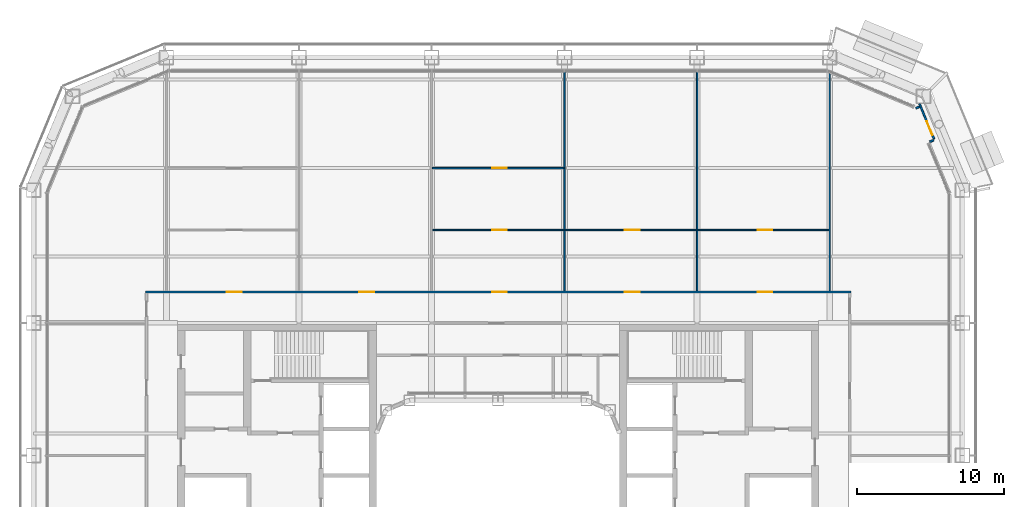
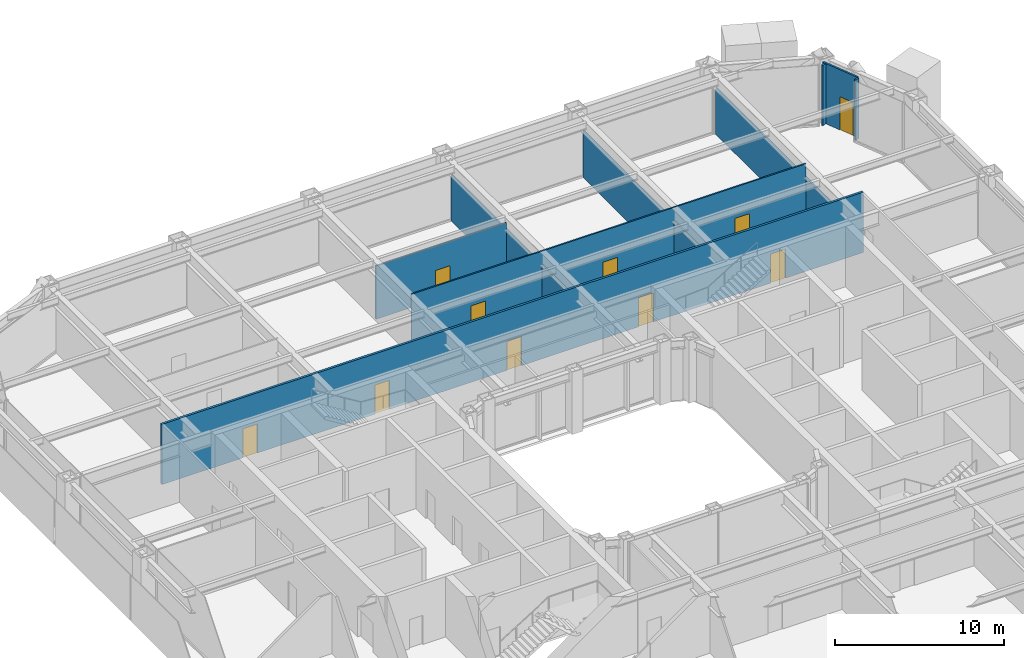
# One storey, part 16 of 30: 11 walls, 10 doors, 10 openings.
"""IFC4 building model written with IfcOpenShell, lengths in metres."""

from ifc_helpers import new_model, si_unit, direction, frame, frame_2d, origin, place, context, subcontext, project, spatial, rectangle, extrude, material, layer, layer_set, type_object, element, fill, save


model = new_model("IFC4")

# Units and contexts
model_context = context("Model", 3, precision=1e-05, world=origin(), true_north=direction((0.0, 1.0)))
body_context = subcontext(model_context, "Body", "Model", "MODEL_VIEW")
ifc_project = project(units=[si_unit("LENGTHUNIT", "METRE"), si_unit("AREAUNIT", "SQUARE_METRE"), si_unit("VOLUMEUNIT", "CUBIC_METRE"), si_unit("PLANEANGLEUNIT", "RADIAN"), si_unit("MASSUNIT", "GRAM", prefix="KILO")], contexts=[model_context])

# Site, building, storey
site_placement = place(None, origin())
site = spatial("IfcSite", under=ifc_project, at=site_placement, CompositionType="ELEMENT")
building_placement = place(site_placement, origin())
building = spatial("IfcBuilding", under=site, at=building_placement, Name="Siwar Civic Tower", CompositionType="ELEMENT")
storey_placement = place(building_placement, frame((0.0, 0.0, 62.699951171875)))
storey = spatial("IfcBuildingStorey", under=building, at=storey_placement, Name="L13", CompositionType="ELEMENT", Elevation=62.699951171875)

# Wall, openings, doors
ifc_material_1 = material(Name="Gypsum board on steel studs", Category="steel")
ifc_layer_1 = layer(ifc_material_1, 0.14990234375)
ifc_layer_set_1 = layer_set([ifc_layer_1], Name="Gypsum board on steel studs")
wall_type_1 = type_object("IfcWallType", Name="CORRIDOR PARTITION 150 EI 30", PredefinedType="PARTITIONING", material=ifc_layer_set_1)
wall_1_placement = place(storey_placement, frame((-23.925048828125, 15.60009765625, 0.0), z_axis=(0.0, 0.0, 1.0), x_axis=(1.0, 0.0, 0.0)))
wall_1 = element("IfcWall", 1, at=wall_1_placement, inside=storey, type_object=wall_type_1, Name="L13/wall/P19", PredefinedType="PARTITIONING", context=body_context, shape_type="SweptSolid", body=[
    extrude(rectangle(XDim=47.85009765625, YDim=0.14990234375, at=frame_2d((23.925048828125, 0.0))), origin(), (0.0, 0.0, 1.0), 4.35009765625),
])
opening_1_placement = place(wall_1_placement, frame((5.52490234375, 0.0, 0.0)))
opening_1 = element("IfcOpeningElement", 2, at=opening_1_placement, cuts=wall_1, Name="Opening D1", PredefinedType="OPENING", context=body_context, shape_type="SweptSolid", body=[
    extrude(rectangle(XDim=1.0, YDim=2.10009765625, at=frame_2d((0.5, 1.050048828125))), frame((0.0, 0.0849609375, 0.0), z_axis=(0.0, -1.0, 0.0), x_axis=(1.0, 0.0, 0.0)), (0.0, 0.0, 1.0), 0.169921875),
])
opening_2_placement = place(wall_1_placement, frame((14.52490234375, 0.0, 0.0)))
opening_2 = element("IfcOpeningElement", 3, at=opening_2_placement, cuts=wall_1, Name="Opening D1", PredefinedType="OPENING", context=body_context, shape_type="SweptSolid", body=[
    extrude(rectangle(XDim=1.0, YDim=2.10009765625, at=frame_2d((0.5, 1.050048828125))), frame((0.0, 0.0849609375, 0.0), z_axis=(0.0, -1.0, 0.0), x_axis=(1.0, 0.0, 0.0)), (0.0, 0.0, 1.0), 0.169921875),
])
opening_3_placement = place(wall_1_placement, frame((23.52490234375, 0.0, 0.0)))
opening_3 = element("IfcOpeningElement", 4, at=opening_3_placement, cuts=wall_1, Name="Opening D1", PredefinedType="OPENING", context=body_context, shape_type="SweptSolid", body=[
    extrude(rectangle(XDim=1.0, YDim=2.10009765625, at=frame_2d((0.5, 1.050048828125))), frame((0.0, 0.0849609375, 0.0), z_axis=(0.0, -1.0, 0.0), x_axis=(1.0, 0.0, 0.0)), (0.0, 0.0, 1.0), 0.169921875),
])
opening_4_placement = place(wall_1_placement, frame((32.52490234375, 0.0, 0.0)))
opening_4 = element("IfcOpeningElement", 5, at=opening_4_placement, cuts=wall_1, Name="Opening D1", PredefinedType="OPENING", context=body_context, shape_type="SweptSolid", body=[
    extrude(rectangle(XDim=1.0, YDim=2.10009765625, at=frame_2d((0.5, 1.050048828125))), frame((0.0, 0.0849609375, 0.0), z_axis=(0.0, -1.0, 0.0), x_axis=(1.0, 0.0, 0.0)), (0.0, 0.0, 1.0), 0.169921875),
])
opening_5_placement = place(wall_1_placement, frame((41.52490234375, 0.0, 0.0)))
opening_5 = element("IfcOpeningElement", 6, at=opening_5_placement, cuts=wall_1, Name="Opening D1", PredefinedType="OPENING", context=body_context, shape_type="SweptSolid", body=[
    extrude(rectangle(XDim=1.0, YDim=2.10009765625, at=frame_2d((0.5, 1.050048828125))), frame((0.0, 0.0849609375, 0.0), z_axis=(0.0, -1.0, 0.0), x_axis=(1.0, 0.0, 0.0)), (0.0, 0.0, 1.0), 0.169921875),
])
ifc_material_2 = material(Name="Timber, painted", Category="wood")
door_type_1 = type_object("IfcDoorType", Name="DOOR 1000 X 2100 FD30", OperationType="SINGLE_SWING_LEFT", PredefinedType="DOOR", material=ifc_material_2)
door_1_placement = place(opening_1_placement, origin())
door_1 = element("IfcDoor", 7, at=door_1_placement, inside=storey, type_object=door_type_1, Name="L13-D01", OperationType="SINGLE_SWING_LEFT", OverallHeight=2.10009765625, OverallWidth=1.0, PredefinedType="DOOR", context=body_context, shape_type="SweptSolid", body=[
    extrude(rectangle(XDim=1.0, YDim=2.10009765625, at=frame_2d((0.5, 1.050048828125))), frame((0.0, 0.02490234375, 0.0), z_axis=(0.0, -1.0, 0.0), x_axis=(1.0, 0.0, 0.0)), (0.0, 0.0, 1.0), 0.050048828125),
])
fill(opening_1, door_1)
door_2_placement = place(opening_2_placement, origin())
door_2 = element("IfcDoor", 8, at=door_2_placement, inside=storey, type_object=door_type_1, Name="L13-D04", OperationType="SINGLE_SWING_RIGHT", OverallHeight=2.10009765625, OverallWidth=1.0, PredefinedType="DOOR", context=body_context, shape_type="SweptSolid", body=[
    extrude(rectangle(XDim=1.0, YDim=2.10009765625, at=frame_2d((0.5, 1.050048828125))), frame((0.0, 0.02490234375, 0.0), z_axis=(0.0, -1.0, 0.0), x_axis=(1.0, 0.0, 0.0)), (0.0, 0.0, 1.0), 0.050048828125),
])
fill(opening_2, door_2)
door_3_placement = place(opening_3_placement, origin())
door_3 = element("IfcDoor", 9, at=door_3_placement, inside=storey, type_object=door_type_1, Name="L13-D05", OperationType="SINGLE_SWING_LEFT", OverallHeight=2.10009765625, OverallWidth=1.0, PredefinedType="DOOR", context=body_context, shape_type="SweptSolid", body=[
    extrude(rectangle(XDim=1.0, YDim=2.10009765625, at=frame_2d((0.5, 1.050048828125))), frame((0.0, 0.02490234375, 0.0), z_axis=(0.0, -1.0, 0.0), x_axis=(1.0, 0.0, 0.0)), (0.0, 0.0, 1.0), 0.050048828125),
])
fill(opening_3, door_3)
door_4_placement = place(opening_4_placement, origin())
door_4 = element("IfcDoor", 10, at=door_4_placement, inside=storey, type_object=door_type_1, Name="L13-D08", OperationType="SINGLE_SWING_RIGHT", OverallHeight=2.10009765625, OverallWidth=1.0, PredefinedType="DOOR", context=body_context, shape_type="SweptSolid", body=[
    extrude(rectangle(XDim=1.0, YDim=2.10009765625, at=frame_2d((0.5, 1.050048828125))), frame((0.0, 0.02490234375, 0.0), z_axis=(0.0, -1.0, 0.0), x_axis=(1.0, 0.0, 0.0)), (0.0, 0.0, 1.0), 0.050048828125),
])
fill(opening_4, door_4)
door_5_placement = place(opening_5_placement, origin())
door_5 = element("IfcDoor", 11, at=door_5_placement, inside=storey, type_object=door_type_1, Name="L13-D10", OperationType="SINGLE_SWING_RIGHT", OverallHeight=2.10009765625, OverallWidth=1.0, PredefinedType="DOOR", context=body_context, shape_type="SweptSolid", body=[
    extrude(rectangle(XDim=1.0, YDim=2.10009765625, at=frame_2d((0.5, 1.050048828125))), frame((0.0, 0.02490234375, 0.0), z_axis=(0.0, -1.0, 0.0), x_axis=(1.0, 0.0, 0.0)), (0.0, 0.0, 1.0), 0.050048828125),
])
fill(opening_5, door_5)

# Walls
ifc_material_3 = material(Name="Aluminium clad insulated panel", Category="aluminium")
ifc_layer_2 = layer(ifc_material_3, 0.1201171875)
ifc_layer_set_2 = layer_set([ifc_layer_2], Name="Aluminium clad insulated panel")
wall_type_2 = type_object("IfcWallType", Name="ENV-WALL-BAL", PredefinedType="STANDARD", material=ifc_layer_set_2)
wall_2_placement = place(storey_placement, frame((29.284912109375, 25.783447265625, 0.0), z_axis=(0.0, 0.0, 1.0), x_axis=(0.923772220778, 0.382942403136, 0.0)))
element("IfcWall", 12, at=wall_2_placement, inside=storey, type_object=wall_type_2, Name="Balcony door wall return NE1", PredefinedType="STANDARD", context=body_context, shape_type="SweptSolid", body=[
    extrude(rectangle(XDim=0.27978515625, YDim=0.1201171875, at=frame_2d((0.139892578125, 0.0))), origin(), (0.0, 0.0, 1.0), 4.35009765625),
])
wall_3_placement = place(storey_placement, frame((28.3427734375, 28.057861328125, 0.0), z_axis=(0.0, 0.0, 1.0), x_axis=(0.923899985553, 0.382634050621, 0.0)))
element("IfcWall", 13, at=wall_3_placement, inside=storey, type_object=wall_type_2, Name="Balcony door wall return NE1", PredefinedType="STANDARD", context=body_context, shape_type="SweptSolid", body=[
    extrude(rectangle(XDim=0.280029296875, YDim=0.1201171875, at=frame_2d((0.14013671875, 0.0))), origin(), (0.0, 0.0, 1.0), 4.35009765625),
])

# Wall, opening, door
wall_4_placement = place(storey_placement, frame((29.575927734375, 25.968994140625, 0.0), z_axis=(0.0, 0.0, 1.0), x_axis=(-0.382648460137, 0.923894017707, 0.0)))
wall_4 = element("IfcWall", 14, at=wall_4_placement, inside=storey, type_object=wall_type_2, Name="Balcony door wall NE1", PredefinedType="STANDARD", context=body_context, shape_type="SweptSolid", body=[
    extrude(rectangle(XDim=2.59228515625, YDim=0.1201171875, at=frame_2d((1.296142578125, 0.0))), origin(), (0.0, 0.0, 1.0), 4.35009765625),
])
opening_6_placement = place(wall_4_placement, frame((0.300048828125, 0.0, 0.0)))
opening_6 = element("IfcOpeningElement", 15, at=opening_6_placement, cuts=wall_4, Name="Opening D-BAL", PredefinedType="OPENING", context=body_context, shape_type="SweptSolid", body=[
    extrude(rectangle(XDim=1.0, YDim=2.39990234375, at=frame_2d((0.5, 1.199951171875))), frame((0.0, 0.070068359375, 0.0), z_axis=(0.0, -1.0, 0.0), x_axis=(1.0, 0.0, 0.0)), (0.0, 0.0, 1.0), 0.14013671875),
])
ifc_material_4 = material(Name="Aluminium and glass", Category="aluminium")
door_type_2 = type_object("IfcDoorType", Name="ENV-DOOR-BAL", OperationType="SINGLE_SWING_LEFT", PredefinedType="DOOR", material=ifc_material_4)
door_6_placement = place(opening_6_placement, origin())
door_6 = element("IfcDoor", 16, at=door_6_placement, inside=storey, type_object=door_type_2, Name="Balcony door NE", OperationType="SINGLE_SWING_LEFT", OverallHeight=2.39990234375, OverallWidth=1.0, PredefinedType="DOOR", context=body_context, shape_type="SweptSolid", body=[
    extrude(rectangle(XDim=1.0, YDim=2.39990234375, at=frame_2d((0.5, 1.199951171875))), frame((0.0, 0.02490234375, 0.0), z_axis=(0.0, -1.0, 0.0), x_axis=(1.0, 0.0, 0.0)), (0.0, 0.0, 1.0), 0.050048828125),
])
fill(opening_6, door_6)

# Wall, openings, doors
ifc_material_5 = material(Name="Gypsum board on steel studs", Category="steel")
ifc_layer_3 = layer(ifc_material_5, 0.10009765625)
ifc_layer_set_3 = layer_set([ifc_layer_3], Name="Gypsum board on steel studs")
wall_type_3 = type_object("IfcWallType", Name="PARTITION 100 GYPSUM", PredefinedType="PARTITIONING", material=ifc_layer_set_3)
wall_5_placement = place(storey_placement, frame((-4.449951171875, 19.800048828125, 0.0), z_axis=(0.0, 0.0, 1.0), x_axis=(1.0, 0.0, 0.0)))
wall_5 = element("IfcWall", 17, at=wall_5_placement, inside=storey, type_object=wall_type_3, Name="L13/wall/P21", PredefinedType="PARTITIONING", context=body_context, shape_type="SweptSolid", body=[
    extrude(rectangle(XDim=26.89990234375, YDim=0.10009765625, at=frame_2d((13.449951171875, 0.0))), origin(), (0.0, 0.0, 1.0), 4.35009765625),
])
opening_7_placement = place(wall_5_placement, frame((4.050048828125, 0.0, 0.0)))
opening_7 = element("IfcOpeningElement", 18, at=opening_7_placement, cuts=wall_5, Name="Opening D2", PredefinedType="OPENING", context=body_context, shape_type="SweptSolid", body=[
    extrude(rectangle(XDim=1.0, YDim=2.10009765625, at=frame_2d((0.5, 1.050048828125))), frame((0.0, 0.06005859375, 0.0), z_axis=(0.0, -1.0, 0.0), x_axis=(1.0, 0.0, 0.0)), (0.0, 0.0, 1.0), 0.1201171875),
])
opening_8_placement = place(wall_5_placement, frame((13.050048828125, 0.0, 0.0)))
opening_8 = element("IfcOpeningElement", 19, at=opening_8_placement, cuts=wall_5, Name="Opening D2", PredefinedType="OPENING", context=body_context, shape_type="SweptSolid", body=[
    extrude(rectangle(XDim=1.0, YDim=2.10009765625, at=frame_2d((0.5, 1.050048828125))), frame((0.0, 0.06005859375, 0.0), z_axis=(0.0, -1.0, 0.0), x_axis=(1.0, 0.0, 0.0)), (0.0, 0.0, 1.0), 0.1201171875),
])
opening_9_placement = place(wall_5_placement, frame((22.050048828125, 0.0, 0.0)))
opening_9 = element("IfcOpeningElement", 20, at=opening_9_placement, cuts=wall_5, Name="Opening D2", PredefinedType="OPENING", context=body_context, shape_type="SweptSolid", body=[
    extrude(rectangle(XDim=1.0, YDim=2.10009765625, at=frame_2d((0.5, 1.050048828125))), frame((0.0, 0.06005859375, 0.0), z_axis=(0.0, -1.0, 0.0), x_axis=(1.0, 0.0, 0.0)), (0.0, 0.0, 1.0), 0.1201171875),
])
ifc_material_6 = material(Name="Timber, painted", Category="wood")
door_type_3 = type_object("IfcDoorType", Name="DOOR 1000 X 2100", OperationType="SINGLE_SWING_LEFT", PredefinedType="DOOR", material=ifc_material_6)
door_7_placement = place(opening_7_placement, origin())
door_7 = element("IfcDoor", 21, at=door_7_placement, inside=storey, type_object=door_type_3, Name="L13-D06", OperationType="SINGLE_SWING_RIGHT", OverallHeight=2.10009765625, OverallWidth=1.0, PredefinedType="DOOR", context=body_context, shape_type="SweptSolid", body=[
    extrude(rectangle(XDim=1.0, YDim=2.10009765625, at=frame_2d((0.5, 1.050048828125))), frame((0.0, 0.02490234375, 0.0), z_axis=(0.0, -1.0, 0.0), x_axis=(1.0, 0.0, 0.0)), (0.0, 0.0, 1.0), 0.050048828125),
])
fill(opening_7, door_7)
door_8_placement = place(opening_8_placement, origin())
door_8 = element("IfcDoor", 22, at=door_8_placement, inside=storey, type_object=door_type_3, Name="L13-D09", OperationType="SINGLE_SWING_LEFT", OverallHeight=2.10009765625, OverallWidth=1.0, PredefinedType="DOOR", context=body_context, shape_type="SweptSolid", body=[
    extrude(rectangle(XDim=1.0, YDim=2.10009765625, at=frame_2d((0.5, 1.050048828125))), frame((0.0, 0.02490234375, 0.0), z_axis=(0.0, -1.0, 0.0), x_axis=(1.0, 0.0, 0.0)), (0.0, 0.0, 1.0), 0.050048828125),
])
fill(opening_8, door_8)
door_9_placement = place(opening_9_placement, origin())
door_9 = element("IfcDoor", 23, at=door_9_placement, inside=storey, type_object=door_type_3, Name="L13-D11", OperationType="SINGLE_SWING_LEFT", OverallHeight=2.10009765625, OverallWidth=1.0, PredefinedType="DOOR", context=body_context, shape_type="SweptSolid", body=[
    extrude(rectangle(XDim=1.0, YDim=2.10009765625, at=frame_2d((0.5, 1.050048828125))), frame((0.0, 0.02490234375, 0.0), z_axis=(0.0, -1.0, 0.0), x_axis=(1.0, 0.0, 0.0)), (0.0, 0.0, 1.0), 0.050048828125),
])
fill(opening_9, door_9)

# Wall, opening, door
wall_6_placement = place(storey_placement, frame((-4.449951171875, 24.0, 0.0), z_axis=(0.0, 0.0, 1.0), x_axis=(1.0, 0.0, 0.0)))
wall_6 = element("IfcWall", 24, at=wall_6_placement, inside=storey, type_object=wall_type_3, Name="L13/wall/P23", PredefinedType="PARTITIONING", context=body_context, shape_type="SweptSolid", body=[
    extrude(rectangle(XDim=8.89990234375, YDim=0.10009765625, at=frame_2d((4.449951171875, 0.0))), origin(), (0.0, 0.0, 1.0), 3.85009765625),
])
opening_10_placement = place(wall_6_placement, frame((4.050048828125, 0.0, 0.0)))
opening_10 = element("IfcOpeningElement", 25, at=opening_10_placement, cuts=wall_6, Name="Opening D2", PredefinedType="OPENING", context=body_context, shape_type="SweptSolid", body=[
    extrude(rectangle(XDim=1.0, YDim=2.10009765625, at=frame_2d((0.5, 1.050048828125))), frame((0.0, 0.06005859375, 0.0), z_axis=(0.0, -1.0, 0.0), x_axis=(1.0, 0.0, 0.0)), (0.0, 0.0, 1.0), 0.1201171875),
])
door_10_placement = place(opening_10_placement, origin())
door_10 = element("IfcDoor", 26, at=door_10_placement, inside=storey, type_object=door_type_3, Name="L13-D07", OperationType="SINGLE_SWING_LEFT", OverallHeight=2.10009765625, OverallWidth=1.0, PredefinedType="DOOR", context=body_context, shape_type="SweptSolid", body=[
    extrude(rectangle(XDim=1.0, YDim=2.10009765625, at=frame_2d((0.5, 1.050048828125))), frame((0.0, 0.02490234375, 0.0), z_axis=(0.0, -1.0, 0.0), x_axis=(1.0, 0.0, 0.0)), (0.0, 0.0, 1.0), 0.050048828125),
])
fill(opening_10, door_10)

# Walls
wall_7_placement = place(storey_placement, frame((4.5, 15.675048828125, 0.0), z_axis=(0.0, 0.0, 1.0), x_axis=(0.0, 1.0, 0.0)))
element("IfcWall", 27, at=wall_7_placement, inside=storey, type_object=wall_type_3, Name="L13/wall/P35", PredefinedType="PARTITIONING", context=body_context, shape_type="SweptSolid", body=[
    extrude(rectangle(XDim=4.074951171875, YDim=0.10009765625, at=frame_2d((2.03759765625, 0.0))), origin(), (0.0, 0.0, 1.0), 3.35009765625),
])
wall_8_placement = place(storey_placement, frame((4.5, 19.85009765625, 0.0), z_axis=(0.0, 0.0, 1.0), x_axis=(0.0, 1.0, 0.0)))
element("IfcWall", 28, at=wall_8_placement, inside=storey, type_object=wall_type_3, Name="L13/wall/P36", PredefinedType="PARTITIONING", context=body_context, shape_type="SweptSolid", body=[
    extrude(rectangle(XDim=10.659912109375, YDim=0.10009765625, at=frame_2d((5.330078125, 0.0))), origin(), (0.0, 0.0, 1.0), 3.35009765625),
])
wall_9_placement = place(storey_placement, frame((13.5, 15.675048828125, 0.0), z_axis=(0.0, 0.0, 1.0), x_axis=(0.0, 1.0, 0.0)))
element("IfcWall", 29, at=wall_9_placement, inside=storey, type_object=wall_type_3, Name="L13/wall/P39", PredefinedType="PARTITIONING", context=body_context, shape_type="SweptSolid", body=[
    extrude(rectangle(XDim=4.074951171875, YDim=0.10009765625, at=frame_2d((2.03759765625, 0.0))), origin(), (0.0, 0.0, 1.0), 3.35009765625),
])
wall_10_placement = place(storey_placement, frame((13.5, 19.85009765625, 0.0), z_axis=(0.0, 0.0, 1.0), x_axis=(0.0, 1.0, 0.0)))
element("IfcWall", 30, at=wall_10_placement, inside=storey, type_object=wall_type_3, Name="L13/wall/P40", PredefinedType="PARTITIONING", context=body_context, shape_type="SweptSolid", body=[
    extrude(rectangle(XDim=10.659912109375, YDim=0.10009765625, at=frame_2d((5.330078125, 0.0))), origin(), (0.0, 0.0, 1.0), 3.35009765625),
])
wall_11_placement = place(storey_placement, frame((22.5, 15.675048828125, 0.0), z_axis=(0.0, 0.0, 1.0), x_axis=(0.0, 1.0, 0.0)))
element("IfcWall", 31, at=wall_11_placement, inside=storey, type_object=wall_type_3, Name="L13/wall/P42", PredefinedType="PARTITIONING", context=body_context, shape_type="SweptSolid", body=[
    extrude(rectangle(XDim=14.7529296875, YDim=0.10009765625, at=frame_2d((7.37646484375, 0.0))), origin(), (0.0, 0.0, 1.0), 3.35009765625),
])

save(model, "model.ifc")
